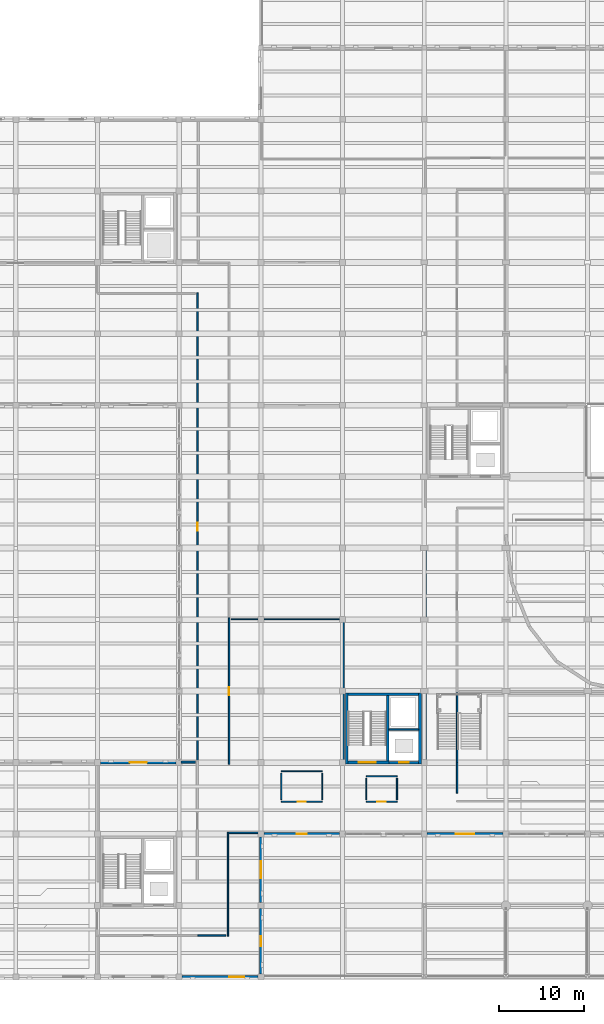
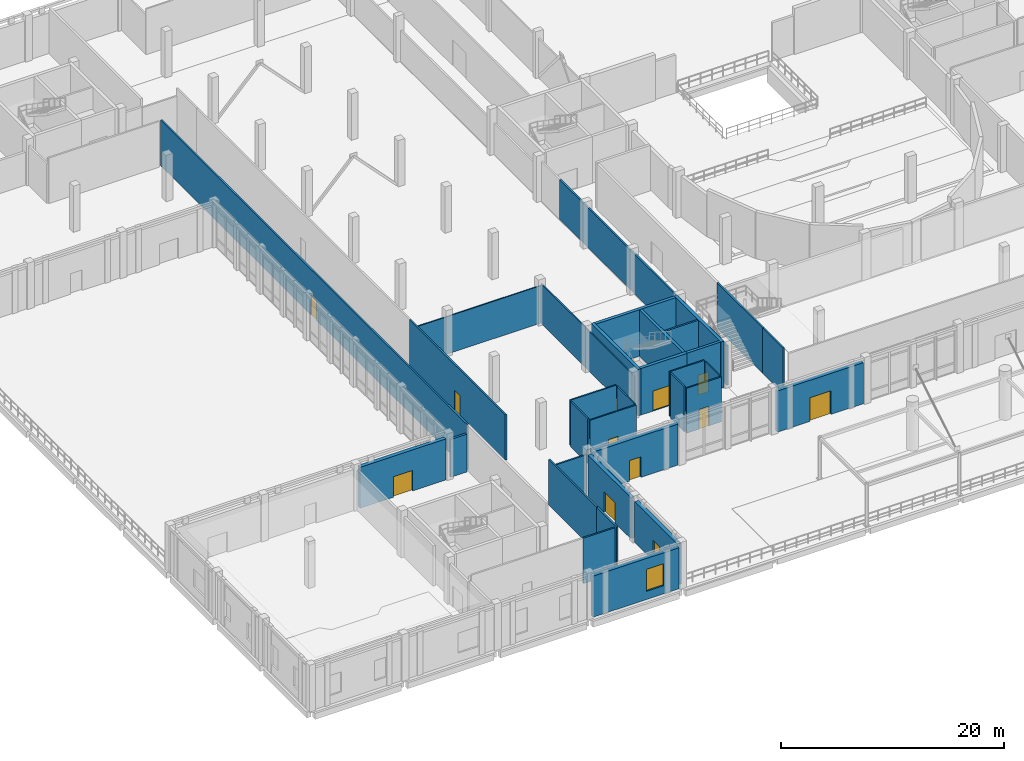
# One storey, part 50 of 71: 33 walls, 11 doors, 1 window, 12 openings.
"""IFC4 building model written with IfcOpenShell, lengths in metres."""

from ifc_helpers import new_model, si_unit, direction, frame, frame_2d, origin, place, context, subcontext, project, spatial, rectangle, extrude, material, layer, layer_set, type_object, element, fill, save


model = new_model("IFC4")

# Units and contexts
model_context = context("Model", 3, precision=1e-05, world=origin(), true_north=direction((0.0, 1.0)))
body_context = subcontext(model_context, "Body", "Model", "MODEL_VIEW")
ifc_project = project(units=[si_unit("LENGTHUNIT", "METRE"), si_unit("AREAUNIT", "SQUARE_METRE"), si_unit("VOLUMEUNIT", "CUBIC_METRE"), si_unit("PLANEANGLEUNIT", "RADIAN"), si_unit("MASSUNIT", "GRAM", prefix="KILO")], contexts=[model_context])

# Site, building, storey
site_placement = place(None, origin())
site = spatial("IfcSite", under=ifc_project, at=site_placement, CompositionType="ELEMENT")
building_placement = place(site_placement, origin())
building = spatial("IfcBuilding", under=site, at=building_placement, Name="Lornevale Opera House", CompositionType="ELEMENT")
storey_placement = place(building_placement, origin())
storey = spatial("IfcBuildingStorey", under=building, at=storey_placement, Name="L01", CompositionType="ELEMENT", Elevation=0.0)

# Wall, opening, door
ifc_material_1 = material(Name="Concrete 40 MPa (CSA A23.1 C-1)", Category="concrete")
ifc_layer_1 = layer(ifc_material_1, 0.320068359375)
ifc_layer_set_1 = layer_set([ifc_layer_1], Name="Concrete 40 MPa (CSA A23.1 C-1)")
wall_type_1 = type_object("IfcWallType", Name="Core Shear Wall 320", PredefinedType="SHEAR", material=ifc_layer_set_1)
wall_1_placement = place(storey_placement, frame((48.659912109375, 25.199951171875, 0.0), z_axis=(0.0, 0.0, 1.0), x_axis=(1.0, 0.0, 0.0)))
wall_1 = element("IfcWall", 1, at=wall_1_placement, inside=storey, type_object=wall_type_1, Name="South-West Foyer Core Core Shear Wall 320 WL-COR-0015", PredefinedType="SHEAR", context=body_context, shape_type="SweptSolid", body=[
    extrude(rectangle(XDim=4.780029296875, YDim=0.320068359375, at=frame_2d((2.39013671875, 0.0))), origin(), (0.0, 0.0, 1.0), 5.10009765625),
])
opening_1_placement = place(wall_1_placement, frame((1.239990234375, 0.0, 0.0)))
opening_1 = element("IfcOpeningElement", 2, at=opening_1_placement, cuts=wall_1, Name="Opening DR-T12", PredefinedType="OPENING", context=body_context, shape_type="SweptSolid", body=[
    extrude(rectangle(XDim=2.0, YDim=2.199951171875, at=frame_2d((1.0, 1.10009765625))), frame((0.0, 0.169921875, 0.0), z_axis=(0.0, -1.0, 0.0), x_axis=(1.0, 0.0, 0.0)), (0.0, 0.0, 1.0), 0.340087890625),
])
ifc_material_2 = material(Name="Painted Hollow Metal Door Steel", Category="steel")
ifc_layer_2 = layer(ifc_material_2, 2.199951171875)
ifc_layer_set_2 = layer_set([ifc_layer_2], Name="Painted Hollow Metal Door Steel")
door_type_1 = type_object("IfcDoorType", Name="Exit Stair Discharge Pair 2000x2200", OperationType="NOTDEFINED", PredefinedType="DOOR", material=ifc_layer_set_2)
door_1_placement = place(opening_1_placement, origin())
door_1 = element("IfcDoor", 3, at=door_1_placement, inside=storey, type_object=door_type_1, Name="C1 Stair Door L01", OperationType="DOUBLE_SWING_LEFT", OverallHeight=2.199951171875, OverallWidth=2.0, PredefinedType="DOOR", context=body_context, shape_type="SweptSolid", body=[
    extrude(rectangle(XDim=2.0, YDim=2.199951171875, at=frame_2d((1.0, 1.10009765625))), frame((0.0, 0.02490234375, 0.0), z_axis=(0.0, -1.0, 0.0), x_axis=(1.0, 0.0, 0.0)), (0.0, 0.0, 1.0), 0.050048828125),
])
fill(opening_1, door_1)

# Walls
wall_2_placement = place(storey_placement, frame((56.93994140625, 33.239990234375, 0.0), z_axis=(0.0, 0.0, 1.0), x_axis=(-1.0, 0.0, 0.0)))
element("IfcWall", 4, at=wall_2_placement, inside=storey, type_object=wall_type_1, Name="South-West Foyer Core Core Shear Wall 320 WL-COR-0017", PredefinedType="SHEAR", context=body_context, shape_type="SweptSolid", body=[
    extrude(rectangle(XDim=8.280029296875, YDim=0.320068359375, at=frame_2d((4.14013671875, 0.0))), origin(), (0.0, 0.0, 1.0), 5.10009765625),
])
for number, where, z_axis, x_axis, name in (
    (5, (48.5, 33.39990234375, 0.0), (0.0, 0.0, 1.0), (0.0, -1.0, 0.0), "South-West Foyer Core Core Shear Wall 320 WL-COR-0018"),
    (6, (57.10009765625, 25.0400390625, 0.0), (0.0, 0.0, 1.0), (0.0, 1.0, 0.0), "South-West Foyer Core Core Shear Wall 320 WL-COR-0019"),
):
    element("IfcWall", number, at=place(storey_placement, frame(where, z_axis=z_axis, x_axis=x_axis)), inside=storey, type_object=wall_type_1, Name=name, PredefinedType="SHEAR", context=body_context, shape_type="SweptSolid", body=[
        extrude(rectangle(XDim=8.35986328125, YDim=0.320068359375, at=frame_2d((4.179931640625, 0.0))), origin(), (0.0, 0.0, 1.0), 5.10009765625),
    ])
ifc_material_3 = material(Name="Acoustic Mineral-Core Gypsum Partition", Category="gypsum")
ifc_layer_3 = layer(ifc_material_3, 0.1650390625)
ifc_layer_set_3 = layer_set([ifc_layer_3], Name="Acoustic Mineral-Core Gypsum Partition")
wall_type_2 = type_object("IfcWallType", Name="Corridor Rated Partition 165", PredefinedType="PARTITIONING", material=ifc_layer_set_3)
wall_3_placement = place(storey_placement, frame((61.4599609375, 25.199951171875, 0.0), z_axis=(0.0, 0.0, 1.0), x_axis=(0.0, 1.0, 0.0)))
element("IfcWall", 7, at=wall_3_placement, inside=storey, type_object=wall_type_2, Name="L01 Partition WL-INT-0677", PredefinedType="PARTITIONING", context=body_context, shape_type="SweptSolid", body=[
    extrude(rectangle(XDim=8.199951171875, YDim=0.1650390625, at=frame_2d((4.10009765625, 0.0))), origin(), (0.0, 0.0, 1.0), 4.989990234375),
])
wall_4_placement = place(storey_placement, frame((61.4599609375, 21.60009765625, 0.0), z_axis=(0.0, 0.0, 1.0), x_axis=(0.0, 1.0, 0.0)))
element("IfcWall", 8, at=wall_4_placement, inside=storey, type_object=wall_type_2, Name="L01 Partition WL-INT-0678", PredefinedType="PARTITIONING", context=body_context, shape_type="SweptSolid", body=[
    extrude(rectangle(XDim=3.599853515625, YDim=0.1650390625, at=frame_2d((1.7998046875, 0.0))), origin(), (0.0, 0.0, 1.0), 4.989990234375),
])

# Wall, opening, door
wall_5_placement = place(storey_placement, frame((34.659912109375, 25.0, 0.0), z_axis=(0.0, 0.0, 1.0), x_axis=(0.0, 1.0, 0.0)))
wall_5 = element("IfcWall", 9, at=wall_5_placement, inside=storey, type_object=wall_type_2, Name="L01 Partition WL-INT-0682", PredefinedType="PARTITIONING", context=body_context, shape_type="SweptSolid", body=[
    extrude(rectangle(XDim=17.199951171875, YDim=0.1650390625, at=frame_2d((8.60009765625, 0.0))), origin(), (0.0, 0.0, 1.0), 4.989990234375),
])
opening_2_placement = place(wall_5_placement, frame((8.125, 0.0, 0.0)))
opening_2 = element("IfcOpeningElement", 10, at=opening_2_placement, cuts=wall_5, Name="Opening DR-T20", PredefinedType="OPENING", context=body_context, shape_type="SweptSolid", body=[
    extrude(rectangle(XDim=0.949951171875, YDim=2.14990234375, at=frame_2d((0.47509765625, 1.074951171875))), frame((0.0, 0.092529296875, 0.0), z_axis=(0.0, -1.0, 0.0), x_axis=(1.0, 0.0, 0.0)), (0.0, 0.0, 1.0), 0.18505859375),
])
ifc_material_4 = material(Name="White Oak Acoustic Panelling", Category="wood")
ifc_layer_4 = layer(ifc_material_4, 2.14990234375)
ifc_layer_set_4 = layer_set([ifc_layer_4], Name="White Oak Acoustic Panelling")
door_type_2 = type_object("IfcDoorType", Name="Soloist Dressing Door R 950x2150", OperationType="NOTDEFINED", PredefinedType="DOOR", material=ifc_layer_set_4)
door_2_placement = place(opening_2_placement, origin())
door_2 = element("IfcDoor", 11, at=door_2_placement, inside=storey, type_object=door_type_2, Name="Opera Cafe & Bookshop Door", OperationType="SINGLE_SWING_RIGHT", OverallHeight=2.14990234375, OverallWidth=0.949951171875, PredefinedType="DOOR", context=body_context, shape_type="SweptSolid", body=[
    extrude(rectangle(XDim=0.949951171875, YDim=2.14990234375, at=frame_2d((0.47509765625, 1.074951171875))), frame((0.0, 0.02490234375, 0.0), z_axis=(0.0, -1.0, 0.0), x_axis=(1.0, 0.0, 0.0)), (0.0, 0.0, 1.0), 0.050048828125),
])
fill(opening_2, door_2)

# Wall
wall_6_placement = place(storey_placement, frame((57.739990234375, 25.199951171875, 0.0), z_axis=(0.0, 0.0, 1.0), x_axis=(0.0, 1.0, 0.0)))
element("IfcWall", 12, at=wall_6_placement, inside=storey, type_object=wall_type_2, Name="L01 Partition WL-INT-0694", PredefinedType="PARTITIONING", context=body_context, shape_type="SweptSolid", body=[
    extrude(rectangle(XDim=30.0, YDim=0.1650390625, at=frame_2d((15.0, 0.0))), origin(), (0.0, 0.0, 1.0), 4.35009765625),
])

# Wall, opening, door
wall_7_placement = place(storey_placement, frame((30.93994140625, 25.39990234375, 0.0), z_axis=(0.0, 0.0, 1.0), x_axis=(0.0, 1.0, 0.0)))
wall_7 = element("IfcWall", 13, at=wall_7_placement, inside=storey, type_object=wall_type_2, Name="L01 Partition WL-INT-0698", PredefinedType="PARTITIONING", context=body_context, shape_type="SweptSolid", body=[
    extrude(rectangle(XDim=55.0, YDim=0.1650390625, at=frame_2d((27.5, 0.0))), origin(), (0.0, 0.0, 1.0), 4.989990234375),
])
opening_3_placement = place(wall_7_placement, frame((27.02490234375, 0.0, 0.0)))
opening_3 = element("IfcOpeningElement", 14, at=opening_3_placement, cuts=wall_7, Name="Opening DR-T20", PredefinedType="OPENING", context=body_context, shape_type="SweptSolid", body=[
    extrude(rectangle(XDim=0.949951171875, YDim=2.14990234375, at=frame_2d((0.47509765625, 1.074951171875))), frame((0.0, 0.092529296875, 0.0), z_axis=(0.0, -1.0, 0.0), x_axis=(1.0, 0.0, 0.0)), (0.0, 0.0, 1.0), 0.18505859375),
])
door_3_placement = place(opening_3_placement, origin())
door_3 = element("IfcDoor", 15, at=door_3_placement, inside=storey, type_object=door_type_2, Name="Winter-Garden Exhibition Foyer Door", OperationType="SINGLE_SWING_RIGHT", OverallHeight=2.14990234375, OverallWidth=0.949951171875, PredefinedType="DOOR", context=body_context, shape_type="SweptSolid", body=[
    extrude(rectangle(XDim=0.949951171875, YDim=2.14990234375, at=frame_2d((0.47509765625, 1.074951171875))), frame((0.0, 0.02490234375, 0.0), z_axis=(0.0, -1.0, 0.0), x_axis=(1.0, 0.0, 0.0)), (0.0, 0.0, 1.0), 0.050048828125),
])
fill(opening_3, door_3)

# Walls
wall_8_placement = place(storey_placement, frame((34.60009765625, 16.93994140625, 0.0), z_axis=(0.0, 0.0, 1.0), x_axis=(1.0, 0.0, 0.0)))
element("IfcWall", 16, at=wall_8_placement, inside=storey, type_object=wall_type_2, Name="L01 Partition WL-INT-0714", PredefinedType="PARTITIONING", context=body_context, shape_type="SweptSolid", body=[
    extrude(rectangle(XDim=3.708984375, YDim=0.1650390625, at=frame_2d((1.8544921875, 0.0))), origin(), (0.0, 0.0, 1.0), 4.25),
])
wall_9_placement = place(storey_placement, frame((34.5400390625, 8.39990234375, 0.0), z_axis=(0.0, 0.0, 1.0), x_axis=(0.0, 1.0, 0.0)))
element("IfcWall", 17, at=wall_9_placement, inside=storey, type_object=wall_type_2, Name="L01 Partition WL-INT-0715", PredefinedType="PARTITIONING", context=body_context, shape_type="SweptSolid", body=[
    extrude(rectangle(XDim=8.60009765625, YDim=0.1650390625, at=frame_2d((4.300048828125, 0.0))), origin(), (0.0, 0.0, 1.0), 4.989990234375),
])
wall_10_placement = place(storey_placement, frame((34.5400390625, 4.800048828125, 0.0), z_axis=(0.0, 0.0, 1.0), x_axis=(0.0, 1.0, 0.0)))
element("IfcWall", 18, at=wall_10_placement, inside=storey, type_object=wall_type_2, Name="L01 Partition WL-INT-0716", PredefinedType="PARTITIONING", context=body_context, shape_type="SweptSolid", body=[
    extrude(rectangle(XDim=3.599853515625, YDim=0.1650390625, at=frame_2d((1.7998046875, 0.0))), origin(), (0.0, 0.0, 1.0), 4.989990234375),
])
wall_11_placement = place(storey_placement, frame((31.0, 4.860107421875, 0.0), z_axis=(0.0, 0.0, 1.0), x_axis=(1.0, 0.0, 0.0)))
element("IfcWall", 19, at=wall_11_placement, inside=storey, type_object=wall_type_2, Name="L01 Partition WL-INT-0717", PredefinedType="PARTITIONING", context=body_context, shape_type="SweptSolid", body=[
    extrude(rectangle(XDim=3.2900390625, YDim=0.1650390625, at=frame_2d((1.64501953125, 0.0))), origin(), (0.0, 0.0, 1.0), 4.989990234375),
])
ifc_layer_5 = layer(ifc_material_3, 0.125)
ifc_layer_set_5 = layer_set([ifc_layer_5], Name="Acoustic Mineral-Core Gypsum Partition")
wall_type_3 = type_object("IfcWallType", Name="Dressing Suite Partition 125", PredefinedType="PARTITIONING", material=ifc_layer_set_5)
wall_12_placement = place(storey_placement, frame((48.139892578125, 25.260009765625, 0.0), z_axis=(0.0, 0.0, 1.0), x_axis=(0.0, 1.0, 0.0)))
element("IfcWall", 20, at=wall_12_placement, inside=storey, type_object=wall_type_3, Name="L01 Partition WL-INT-0745", PredefinedType="PARTITIONING", context=body_context, shape_type="SweptSolid", body=[
    extrude(rectangle(XDim=16.739990234375, YDim=0.125, at=frame_2d((8.3701171875, 0.0))), origin(), (0.0, 0.0, 1.0), 4.35009765625),
])
wall_13_placement = place(storey_placement, frame((34.909912109375, 42.06005859375, 0.0), z_axis=(0.0, 0.0, 1.0), x_axis=(1.0, 0.0, 0.0)))
element("IfcWall", 21, at=wall_13_placement, inside=storey, type_object=wall_type_3, Name="L01 Partition WL-INT-0746", PredefinedType="PARTITIONING", context=body_context, shape_type="SweptSolid", body=[
    extrude(rectangle(XDim=13.2900390625, YDim=0.125, at=frame_2d((6.64501953125, 0.0))), origin(), (0.0, 0.0, 1.0), 4.10009765625),
])

# Wall, opening, door
ifc_layer_6 = layer(ifc_material_1, 0.280029296875)
ifc_layer_set_6 = layer_set([ifc_layer_6], Name="Concrete 40 MPa (CSA A23.1 C-1)")
wall_type_4 = type_object("IfcWallType", Name="Elevator Shaft Wall 280", PredefinedType="SHEAR", material=ifc_layer_set_6)
wall_14_placement = place(storey_placement, frame((53.43994140625, 25.199951171875, 0.0), z_axis=(0.0, 0.0, 1.0), x_axis=(1.0, 0.0, 0.0)))
wall_14 = element("IfcWall", 22, at=wall_14_placement, inside=storey, type_object=wall_type_4, Name="South-West Foyer Core Elevator Shaft Wall 280 WL-COR-0016", PredefinedType="SHEAR", context=body_context, shape_type="SweptSolid", body=[
    extrude(rectangle(XDim=3.5, YDim=0.280029296875, at=frame_2d((1.75, 0.0))), origin(), (0.0, 0.0, 1.0), 5.10009765625),
])
opening_4_placement = place(wall_14_placement, frame((1.2099609375, 0.0, 0.0)))
opening_4 = element("IfcOpeningElement", 23, at=opening_4_placement, cuts=wall_14, Name="Opening DR-T25", PredefinedType="OPENING", context=body_context, shape_type="SweptSolid", body=[
    extrude(rectangle(XDim=1.10009765625, YDim=2.199951171875, at=frame_2d((0.550048828125, 1.10009765625))), frame((0.0, 0.14990234375, 0.0), z_axis=(0.0, -1.0, 0.0), x_axis=(1.0, 0.0, 0.0)), (0.0, 0.0, 1.0), 0.300048828125),
])
ifc_layer_7 = layer(ifc_material_2, 2.199951171875)
ifc_layer_set_7 = layer_set([ifc_layer_7], Name="Painted Hollow Metal Door Steel")
door_type_3 = type_object("IfcDoorType", Name="Passenger Lift Landing Door 1100x2200", OperationType="NOTDEFINED", PredefinedType="DOOR", material=ifc_layer_set_7)
door_4_placement = place(opening_4_placement, origin())
door_4 = element("IfcDoor", 24, at=door_4_placement, inside=storey, type_object=door_type_3, Name="L-P1 Landing Door L01", OperationType="SLIDING_TO_LEFT", OverallHeight=2.199951171875, OverallWidth=1.10009765625, PredefinedType="DOOR", context=body_context, shape_type="SweptSolid", body=[
    extrude(rectangle(XDim=1.10009765625, YDim=2.199951171875, at=frame_2d((0.550048828125, 1.10009765625))), frame((0.0, 0.02490234375, 0.0), z_axis=(0.0, -1.0, 0.0), x_axis=(1.0, 0.0, 0.0)), (0.0, 0.0, 1.0), 0.050048828125),
])
fill(opening_4, door_4)

# Walls
wall_15_placement = place(storey_placement, frame((53.300048828125, 25.360107421875, 0.0), z_axis=(0.0, 0.0, 1.0), x_axis=(0.0, 1.0, 0.0)))
element("IfcWall", 25, at=wall_15_placement, inside=storey, type_object=wall_type_4, Name="South-West Foyer Core Elevator Shaft Wall 280 WL-COR-0020", PredefinedType="SHEAR", context=body_context, shape_type="SweptSolid", body=[
    extrude(rectangle(XDim=7.719970703125, YDim=0.280029296875, at=frame_2d((3.85986328125, 0.0))), origin(), (0.0, 0.0, 1.0), 5.10009765625),
])
ifc_layer_8 = layer(ifc_material_3, 0.22998046875)
ifc_layer_set_8 = layer_set([ifc_layer_8], Name="Acoustic Mineral-Core Gypsum Partition")
wall_type_5 = type_object("IfcWallType", Name="Rehearsal Studio Acoustic Wall 230", PredefinedType="SOLIDWALL", material=ifc_layer_set_8)
wall_16_placement = place(storey_placement, frame((29.02001953125, 25.260009765625, 0.0), z_axis=(0.0, 0.0, 1.0), x_axis=(1.0, 0.0, 0.0)))
element("IfcWall", 26, at=wall_16_placement, inside=storey, type_object=wall_type_5, Name="L01 Partition WL-INT-0738", PredefinedType="SOLIDWALL", context=body_context, shape_type="SweptSolid", body=[
    extrude(rectangle(XDim=1.669921875, YDim=0.22998046875, at=frame_2d((0.8349609375, 0.0))), origin(), (0.0, 0.0, 1.0), 4.14990234375),
])
ifc_material_5 = material(Name="Moisture-Resistant Ceramic & Gypsum Partition", Category="gypsum")
ifc_layer_9 = layer(ifc_material_5, 0.179931640625)
ifc_layer_set_9 = layer_set([ifc_layer_9], Name="Moisture-Resistant Ceramic & Gypsum Partition")
wall_type_6 = type_object("IfcWallType", Name="Riser Shaft Wall 180", PredefinedType="SOLIDWALL", material=ifc_layer_set_9)
wall_17_placement = place(storey_placement, frame((53.43994140625, 29.10009765625, 0.0), z_axis=(0.0, 0.0, 1.0), x_axis=(1.0, 0.0, 0.0)))
element("IfcWall", 27, at=wall_17_placement, inside=storey, type_object=wall_type_6, Name="South-West Foyer Core Riser Shaft Wall 180 WL-COR-0021", PredefinedType="SOLIDWALL", context=body_context, shape_type="SweptSolid", body=[
    extrude(rectangle(XDim=3.5, YDim=0.179931640625, at=frame_2d((1.75, 0.0))), origin(), (0.0, 0.0, 1.0), 5.10009765625),
])

# Wall, opening, door
ifc_material_6 = material(Name="Credit Valley Sandstone Ashlar Masonry (25 MPa)", Category="masonry")
ifc_layer_10 = layer(ifc_material_6, 0.3798828125)
ifc_layer_set_10 = layer_set([ifc_layer_10], Name="Credit Valley Sandstone Ashlar Masonry (25 MPa)")
wall_type_7 = type_object("IfcWallType", Name="Sandstone Plinth Bearing Wall 380", PredefinedType="SOLIDWALL", material=ifc_layer_set_10)
wall_18_placement = place(storey_placement, frame((19.550048828125, 25.199951171875, 0.0), z_axis=(0.0, 0.0, 1.0), x_axis=(1.0, 0.0, 0.0)))
wall_18 = element("IfcWall", 28, at=wall_18_placement, inside=storey, type_object=wall_type_7, Name="Sandstone Plinth Bearing Wall 380 WL-EXT-0151", PredefinedType="SOLIDWALL", context=body_context, shape_type="SweptSolid", body=[
    extrude(rectangle(XDim=8.89990234375, YDim=0.3798828125, at=frame_2d((4.449951171875, 0.0))), origin(), (0.0, 0.0, 1.0), 4.5),
])
opening_5_placement = place(wall_18_placement, frame((3.449951171875, 0.0, 0.0)))
opening_5 = element("IfcOpeningElement", 29, at=opening_5_placement, cuts=wall_18, Name="Opening DR-T06", PredefinedType="OPENING", context=body_context, shape_type="SweptSolid", body=[
    extrude(rectangle(XDim=2.0, YDim=2.25, at=frame_2d((1.0, 1.125))), frame((0.0, 0.199951171875, 0.0), z_axis=(0.0, -1.0, 0.0), x_axis=(1.0, 0.0, 0.0)), (0.0, 0.0, 1.0), 0.39990234375),
])
ifc_layer_11 = layer(ifc_material_2, 0.050048828125)
ifc_layer_set_11 = layer_set([ifc_layer_11], Name="Painted Hollow Metal Door Steel")
door_type_4 = type_object("IfcDoorType", Name="Exterior Paired Exit Door 2000x2250", OperationType="NOTDEFINED", PredefinedType="DOOR", material=ifc_layer_set_11)
door_5_placement = place(opening_5_placement, origin())
door_5 = element("IfcDoor", 30, at=door_5_placement, inside=storey, type_object=door_type_4, Name="Exterior Paired Exit Door 2000x2250 DR-EXT-010", OperationType="DOUBLE_DOOR_SINGLE_SWING", OverallHeight=2.25, OverallWidth=2.0, PredefinedType="DOOR", context=body_context, shape_type="SweptSolid", body=[
    extrude(rectangle(XDim=2.0, YDim=2.25, at=frame_2d((1.0, 1.125))), frame((0.0, 0.02490234375, 0.0), z_axis=(0.0, -1.0, 0.0), x_axis=(1.0, 0.0, 0.0)), (0.0, 0.0, 1.0), 0.050048828125),
])
fill(opening_5, door_5)

# Wall, opening, window
wall_19_placement = place(storey_placement, frame((38.050048828125, 0.0, 0.0), z_axis=(0.0, 0.0, 1.0), x_axis=(-1.0, 0.0, 0.0)))
wall_19 = element("IfcWall", 31, at=wall_19_placement, inside=storey, type_object=wall_type_7, Name="Sandstone Plinth Bearing Wall 380 WL-EXT-0154", PredefinedType="SOLIDWALL", context=body_context, shape_type="SweptSolid", body=[
    extrude(rectangle(XDim=8.900146484375, YDim=0.3798828125, at=frame_2d((4.4501953125, 0.0))), origin(), (0.0, 0.0, 1.0), 4.5),
])
opening_6_placement = place(wall_19_placement, frame((1.592041015625, 0.0, 0.89990234375)))
opening_6 = element("IfcOpeningElement", 32, at=opening_6_placement, cuts=wall_19, Name="Opening WN-T01", PredefinedType="OPENING", context=body_context, shape_type="SweptSolid", body=[
    extrude(rectangle(XDim=1.800048828125, YDim=2.39990234375, at=frame_2d((0.89990234375, 1.199951171875))), frame((0.0, 0.199951171875, 0.0), z_axis=(0.0, -1.0, 0.0), x_axis=(1.0, 0.0, 0.0)), (0.0, 0.0, 1.0), 0.39990234375),
])
ifc_material_7 = material(Name="Triple Low-E Insulated Glazing", Category="glass")
ifc_layer_12 = layer(ifc_material_7, 0.06005859375)
ifc_layer_set_12 = layer_set([ifc_layer_12], Name="Triple Low-E Insulated Glazing")
window_type = type_object("IfcWindowType", Name="Punched Deep-Reveal Window 1800x2400", PartitioningType="NOTDEFINED", PredefinedType="WINDOW", material=ifc_layer_set_12)
window_placement = place(opening_6_placement, origin())
window = element("IfcWindow", 33, at=window_placement, inside=storey, type_object=window_type, Name="Punched Deep-Reveal Window 1800x2400 WN-0021", OverallHeight=2.39990234375, OverallWidth=1.800048828125, PartitioningType="SINGLE_PANEL", PredefinedType="WINDOW", context=body_context, shape_type="SweptSolid", body=[
    extrude(rectangle(XDim=1.800048828125, YDim=2.39990234375, at=frame_2d((0.89990234375, 1.199951171875))), frame((0.0, 0.030029296875, 0.0), z_axis=(0.0, -1.0, 0.0), x_axis=(1.0, 0.0, 0.0)), (0.0, 0.0, 1.0), 0.06005859375),
])
fill(opening_6, window)

# Wall, opening, door
wall_20_placement = place(storey_placement, frame((38.39990234375, 8.050048828125, 0.0), z_axis=(0.0, 0.0, 1.0), x_axis=(0.0, -1.0, 0.0)))
wall_20 = element("IfcWall", 34, at=wall_20_placement, inside=storey, type_object=wall_type_7, Name="Sandstone Plinth Bearing Wall 380 WL-EXT-0155", PredefinedType="SOLIDWALL", context=body_context, shape_type="SweptSolid", body=[
    extrude(rectangle(XDim=7.699951171875, YDim=0.3798828125, at=frame_2d((3.85009765625, 0.0))), origin(), (0.0, 0.0, 1.0), 4.5),
])
opening_7_placement = place(wall_20_placement, frame((3.239990234375, 0.0, 0.0)))
opening_7 = element("IfcOpeningElement", 35, at=opening_7_placement, cuts=wall_20, Name="Opening DR-T05", PredefinedType="OPENING", context=body_context, shape_type="SweptSolid", body=[
    extrude(rectangle(XDim=1.219970703125, YDim=2.25, at=frame_2d((0.60986328125, 1.125))), frame((0.0, 0.199951171875, 0.0), z_axis=(0.0, -1.0, 0.0), x_axis=(1.0, 0.0, 0.0)), (0.0, 0.0, 1.0), 0.39990234375),
])
ifc_layer_13 = layer(ifc_material_2, 0.050048828125)
ifc_layer_set_13 = layer_set([ifc_layer_13], Name="Painted Hollow Metal Door Steel")
door_type_5 = type_object("IfcDoorType", Name="Exterior Final Exit Door 1220x2250", OperationType="NOTDEFINED", PredefinedType="DOOR", material=ifc_layer_set_13)
door_6_placement = place(opening_7_placement, origin())
door_6 = element("IfcDoor", 36, at=door_6_placement, inside=storey, type_object=door_type_5, Name="Exterior Final Exit Door 1220x2250 DR-EXT-012", OperationType="SINGLE_SWING_RIGHT", OverallHeight=2.25, OverallWidth=1.219970703125, PredefinedType="DOOR", context=body_context, shape_type="SweptSolid", body=[
    extrude(rectangle(XDim=1.219970703125, YDim=2.25, at=frame_2d((0.60986328125, 1.125))), frame((0.0, 0.02490234375, 0.0), z_axis=(0.0, -1.0, 0.0), x_axis=(1.0, 0.0, 0.0)), (0.0, 0.0, 1.0), 0.050048828125),
])
fill(opening_7, door_6)

wall_21_placement = place(storey_placement, frame((38.39990234375, 16.449951171875, 0.0), z_axis=(0.0, 0.0, 1.0), x_axis=(0.0, -1.0, 0.0)))
wall_21 = element("IfcWall", 37, at=wall_21_placement, inside=storey, type_object=wall_type_7, Name="Sandstone Plinth Bearing Wall 380 WL-EXT-0156", PredefinedType="SOLIDWALL", context=body_context, shape_type="SweptSolid", body=[
    extrude(rectangle(XDim=7.699951171875, YDim=0.3798828125, at=frame_2d((3.85009765625, 0.0))), origin(), (0.0, 0.0, 1.0), 4.5),
])
opening_8_placement = place(wall_21_placement, frame((2.85009765625, 0.0, 0.0)))
opening_8 = element("IfcOpeningElement", 38, at=opening_8_placement, cuts=wall_21, Name="Opening DR-T06", PredefinedType="OPENING", context=body_context, shape_type="SweptSolid", body=[
    extrude(rectangle(XDim=2.0, YDim=2.25, at=frame_2d((1.0, 1.125))), frame((0.0, 0.199951171875, 0.0), z_axis=(0.0, -1.0, 0.0), x_axis=(1.0, 0.0, 0.0)), (0.0, 0.0, 1.0), 0.39990234375),
])
door_7_placement = place(opening_8_placement, origin())
door_7 = element("IfcDoor", 39, at=door_7_placement, inside=storey, type_object=door_type_4, Name="Exterior Paired Exit Door 2000x2250 DR-EXT-013", OperationType="DOUBLE_DOOR_SINGLE_SWING", OverallHeight=2.25, OverallWidth=2.0, PredefinedType="DOOR", context=body_context, shape_type="SweptSolid", body=[
    extrude(rectangle(XDim=2.0, YDim=2.25, at=frame_2d((1.0, 1.125))), frame((0.0, 0.02490234375, 0.0), z_axis=(0.0, -1.0, 0.0), x_axis=(1.0, 0.0, 0.0)), (0.0, 0.0, 1.0), 0.050048828125),
])
fill(opening_8, door_7)

wall_22_placement = place(storey_placement, frame((47.64990234375, 16.800048828125, 0.0), z_axis=(0.0, 0.0, 1.0), x_axis=(-1.0, 0.0, 0.0)))
wall_22 = element("IfcWall", 40, at=wall_22_placement, inside=storey, type_object=wall_type_7, Name="Sandstone Plinth Bearing Wall 380 WL-EXT-0158", PredefinedType="SOLIDWALL", context=body_context, shape_type="SweptSolid", body=[
    extrude(rectangle(XDim=8.89990234375, YDim=0.3798828125, at=frame_2d((4.449951171875, 0.0))), origin(), (0.0, 0.0, 1.0), 4.5),
])
opening_9_placement = place(wall_22_placement, frame((3.840087890625, 0.0, 0.0)))
opening_9 = element("IfcOpeningElement", 41, at=opening_9_placement, cuts=wall_22, Name="Opening DR-T05", PredefinedType="OPENING", context=body_context, shape_type="SweptSolid", body=[
    extrude(rectangle(XDim=1.219970703125, YDim=2.25, at=frame_2d((0.60986328125, 1.125))), frame((0.0, 0.199951171875, 0.0), z_axis=(0.0, -1.0, 0.0), x_axis=(1.0, 0.0, 0.0)), (0.0, 0.0, 1.0), 0.39990234375),
])
door_8_placement = place(opening_9_placement, origin())
door_8 = element("IfcDoor", 42, at=door_8_placement, inside=storey, type_object=door_type_5, Name="Exterior Final Exit Door 1220x2250 DR-EXT-014", OperationType="SINGLE_SWING_LEFT", OverallHeight=2.25, OverallWidth=1.219970703125, PredefinedType="DOOR", context=body_context, shape_type="SweptSolid", body=[
    extrude(rectangle(XDim=1.219970703125, YDim=2.25, at=frame_2d((0.60986328125, 1.125))), frame((0.0, 0.02490234375, 0.0), z_axis=(0.0, -1.0, 0.0), x_axis=(1.0, 0.0, 0.0)), (0.0, 0.0, 1.0), 0.050048828125),
])
fill(opening_9, door_8)

wall_23_placement = place(storey_placement, frame((66.85009765625, 16.800048828125, 0.0), z_axis=(0.0, 0.0, 1.0), x_axis=(-1.0, 0.0, 0.0)))
wall_23 = element("IfcWall", 43, at=wall_23_placement, inside=storey, type_object=wall_type_7, Name="Sandstone Plinth Bearing Wall 380 WL-EXT-0162", PredefinedType="SOLIDWALL", context=body_context, shape_type="SweptSolid", body=[
    extrude(rectangle(XDim=8.900146484375, YDim=0.3798828125, at=frame_2d((4.4501953125, 0.0))), origin(), (0.0, 0.0, 1.0), 4.5),
])
opening_10_placement = place(wall_23_placement, frame((3.35009765625, 0.0, 0.0)))
opening_10 = element("IfcOpeningElement", 44, at=opening_10_placement, cuts=wall_23, Name="Opening DR-T01", PredefinedType="OPENING", context=body_context, shape_type="SweptSolid", body=[
    extrude(rectangle(XDim=2.199951171875, YDim=2.60009765625, at=frame_2d((1.10009765625, 1.300048828125))), frame((0.0, 0.199951171875, 0.0), z_axis=(0.0, -1.0, 0.0), x_axis=(1.0, 0.0, 0.0)), (0.0, 0.0, 1.0), 0.39990234375),
])
ifc_material_8 = material(Name="Architectural Bronze Solar Louvre Alloy", Category="metal")
ifc_layer_14 = layer(ifc_material_8, 0.050048828125)
ifc_layer_set_14 = layer_set([ifc_layer_14], Name="Architectural Bronze Solar Louvre Alloy")
door_type_6 = type_object("IfcDoorType", Name="Civic Main Entrance Double Door 2200x2600", OperationType="NOTDEFINED", PredefinedType="DOOR", material=ifc_layer_set_14)
door_9_placement = place(opening_10_placement, origin())
door_9 = element("IfcDoor", 45, at=door_9_placement, inside=storey, type_object=door_type_6, Name="Civic Main Entrance Double Door 2200x2600 DR-EXT-017", OperationType="DOUBLE_DOOR_SINGLE_SWING", OverallHeight=2.60009765625, OverallWidth=2.199951171875, PredefinedType="DOOR", context=body_context, shape_type="SweptSolid", body=[
    extrude(rectangle(XDim=2.199951171875, YDim=2.60009765625, at=frame_2d((1.10009765625, 1.300048828125))), frame((0.0, 0.02490234375, 0.0), z_axis=(0.0, -1.0, 0.0), x_axis=(1.0, 0.0, 0.0)), (0.0, 0.0, 1.0), 0.050048828125),
])
fill(opening_10, door_9)

ifc_layer_15 = layer(ifc_material_5, 0.139892578125)
ifc_layer_set_15 = layer_set([ifc_layer_15], Name="Moisture-Resistant Ceramic & Gypsum Partition")
wall_type_8 = type_object("IfcWallType", Name="Washroom Moisture Partition 140", PredefinedType="PARTITIONING", material=ifc_layer_set_15)
wall_24_placement = place(storey_placement, frame((40.800048828125, 20.60009765625, 0.0), z_axis=(0.0, 0.0, 1.0), x_axis=(1.0, 0.0, 0.0)))
wall_24 = element("IfcWall", 46, at=wall_24_placement, inside=storey, type_object=wall_type_8, Name="Grand Foyer Public Washroom West S Wall WL-INT-0448", PredefinedType="PARTITIONING", context=body_context, shape_type="SweptSolid", body=[
    extrude(rectangle(XDim=4.800048828125, YDim=0.139892578125, at=frame_2d((2.39990234375, 0.0))), origin(), (0.0, 0.0, 1.0), 4.919921875),
])
opening_11_placement = place(wall_24_placement, frame((1.925048828125, 0.0, 0.0)))
opening_11 = element("IfcOpeningElement", 47, at=opening_11_placement, cuts=wall_24, Name="Opening DR-T22", PredefinedType="OPENING", context=body_context, shape_type="SweptSolid", body=[
    extrude(rectangle(XDim=0.949951171875, YDim=2.14990234375, at=frame_2d((0.47509765625, 1.074951171875))), frame((0.0, 0.079833984375, 0.0), z_axis=(0.0, -1.0, 0.0), x_axis=(1.0, 0.0, 0.0)), (0.0, 0.0, 1.0), 0.159912109375),
])
ifc_layer_16 = layer(ifc_material_4, 2.14990234375)
ifc_layer_set_16 = layer_set([ifc_layer_16], Name="White Oak Acoustic Panelling")
door_type_7 = type_object("IfcDoorType", Name="Washroom Door R 950x2150", OperationType="NOTDEFINED", PredefinedType="DOOR", material=ifc_layer_set_16)
door_10_placement = place(opening_11_placement, origin())
door_10 = element("IfcDoor", 48, at=door_10_placement, inside=storey, type_object=door_type_7, Name="Grand Foyer Public Washroom West Door", OperationType="SINGLE_SWING_RIGHT", OverallHeight=2.14990234375, OverallWidth=0.949951171875, PredefinedType="DOOR", context=body_context, shape_type="SweptSolid", body=[
    extrude(rectangle(XDim=0.949951171875, YDim=2.14990234375, at=frame_2d((0.47509765625, 1.074951171875))), frame((0.0, 0.02490234375, 0.0), z_axis=(0.0, -1.0, 0.0), x_axis=(1.0, 0.0, 0.0)), (0.0, 0.0, 1.0), 0.050048828125),
])
fill(opening_11, door_10)

# Walls
wall_25_placement = place(storey_placement, frame((40.800048828125, 24.199951171875, 0.0), z_axis=(0.0, 0.0, 1.0), x_axis=(1.0, 0.0, 0.0)))
element("IfcWall", 49, at=wall_25_placement, inside=storey, type_object=wall_type_8, Name="Grand Foyer Public Washroom West N Wall WL-INT-0449", PredefinedType="PARTITIONING", context=body_context, shape_type="SweptSolid", body=[
    extrude(rectangle(XDim=4.800048828125, YDim=0.139892578125, at=frame_2d((2.39990234375, 0.0))), origin(), (0.0, 0.0, 1.0), 4.919921875),
])
for number, where, z_axis, x_axis, name in (
    (50, (40.800048828125, 20.85009765625, 0.0), (0.0, 0.0, 1.0), (0.0, 1.0, 0.0), "Grand Foyer Public Washroom West W Wall WL-INT-0450"),
    (51, (45.60009765625, 20.85009765625, 0.0), (0.0, 0.0, 1.0), (0.0, 1.0, 0.0), "Grand Foyer Public Washroom West E Wall WL-INT-0451"),
):
    element("IfcWall", number, at=place(storey_placement, frame(where, z_axis=z_axis, x_axis=x_axis)), inside=storey, type_object=wall_type_8, Name=name, PredefinedType="PARTITIONING", context=body_context, shape_type="SweptSolid", body=[
        extrude(rectangle(XDim=3.099853515625, YDim=0.139892578125, at=frame_2d((1.5498046875, 0.0))), origin(), (0.0, 0.0, 1.0), 4.919921875),
    ])

# Wall, opening, door
wall_26_placement = place(storey_placement, frame((50.800048828125, 20.60009765625, 0.0), z_axis=(0.0, 0.0, 1.0), x_axis=(1.0, 0.0, 0.0)))
wall_26 = element("IfcWall", 52, at=wall_26_placement, inside=storey, type_object=wall_type_8, Name="Civic Concourse Accessible WC S Wall WL-INT-0456", PredefinedType="PARTITIONING", context=body_context, shape_type="SweptSolid", body=[
    extrude(rectangle(XDim=3.599853515625, YDim=0.139892578125, at=frame_2d((1.7998046875, 0.0))), origin(), (0.0, 0.0, 1.0), 4.919921875),
])
opening_12_placement = place(wall_26_placement, frame((1.300048828125, 0.0, 0.0)))
opening_12 = element("IfcOpeningElement", 53, at=opening_12_placement, cuts=wall_26, Name="Opening DR-T23", PredefinedType="OPENING", context=body_context, shape_type="SweptSolid", body=[
    extrude(rectangle(XDim=1.0, YDim=2.14990234375, at=frame_2d((0.5, 1.074951171875))), frame((0.0, 0.079833984375, 0.0), z_axis=(0.0, -1.0, 0.0), x_axis=(1.0, 0.0, 0.0)), (0.0, 0.0, 1.0), 0.159912109375),
])
ifc_layer_17 = layer(ifc_material_4, 2.14990234375)
ifc_layer_set_17 = layer_set([ifc_layer_17], Name="White Oak Acoustic Panelling")
door_type_8 = type_object("IfcDoorType", Name="Accessible WC Door L 1000x2150", OperationType="NOTDEFINED", PredefinedType="DOOR", material=ifc_layer_set_17)
door_11_placement = place(opening_12_placement, origin())
door_11 = element("IfcDoor", 54, at=door_11_placement, inside=storey, type_object=door_type_8, Name="Civic Concourse Accessible WC Door", OperationType="SINGLE_SWING_LEFT", OverallHeight=2.14990234375, OverallWidth=1.0, PredefinedType="DOOR", context=body_context, shape_type="SweptSolid", body=[
    extrude(rectangle(XDim=1.0, YDim=2.14990234375, at=frame_2d((0.5, 1.074951171875))), frame((0.0, 0.02490234375, 0.0), z_axis=(0.0, -1.0, 0.0), x_axis=(1.0, 0.0, 0.0)), (0.0, 0.0, 1.0), 0.050048828125),
])
fill(opening_12, door_11)

# Walls
wall_27_placement = place(storey_placement, frame((50.800048828125, 23.60009765625, 0.0), z_axis=(0.0, 0.0, 1.0), x_axis=(1.0, 0.0, 0.0)))
element("IfcWall", 55, at=wall_27_placement, inside=storey, type_object=wall_type_8, Name="Civic Concourse Accessible WC N Wall WL-INT-0457", PredefinedType="PARTITIONING", context=body_context, shape_type="SweptSolid", body=[
    extrude(rectangle(XDim=3.599853515625, YDim=0.139892578125, at=frame_2d((1.7998046875, 0.0))), origin(), (0.0, 0.0, 1.0), 4.919921875),
])
for number, where, z_axis, x_axis, name in (
    (56, (50.800048828125, 20.85009765625, 0.0), (0.0, 0.0, 1.0), (0.0, 1.0, 0.0), "Civic Concourse Accessible WC W Wall WL-INT-0458"),
    (57, (54.39990234375, 20.85009765625, 0.0), (0.0, 0.0, 1.0), (0.0, 1.0, 0.0), "Civic Concourse Accessible WC E Wall WL-INT-0459"),
):
    element("IfcWall", number, at=place(storey_placement, frame(where, z_axis=z_axis, x_axis=x_axis)), inside=storey, type_object=wall_type_8, Name=name, PredefinedType="PARTITIONING", context=body_context, shape_type="SweptSolid", body=[
        extrude(rectangle(XDim=2.5, YDim=0.139892578125, at=frame_2d((1.25, 0.0))), origin(), (0.0, 0.0, 1.0), 4.919921875),
    ])

save(model, "model.ifc")
